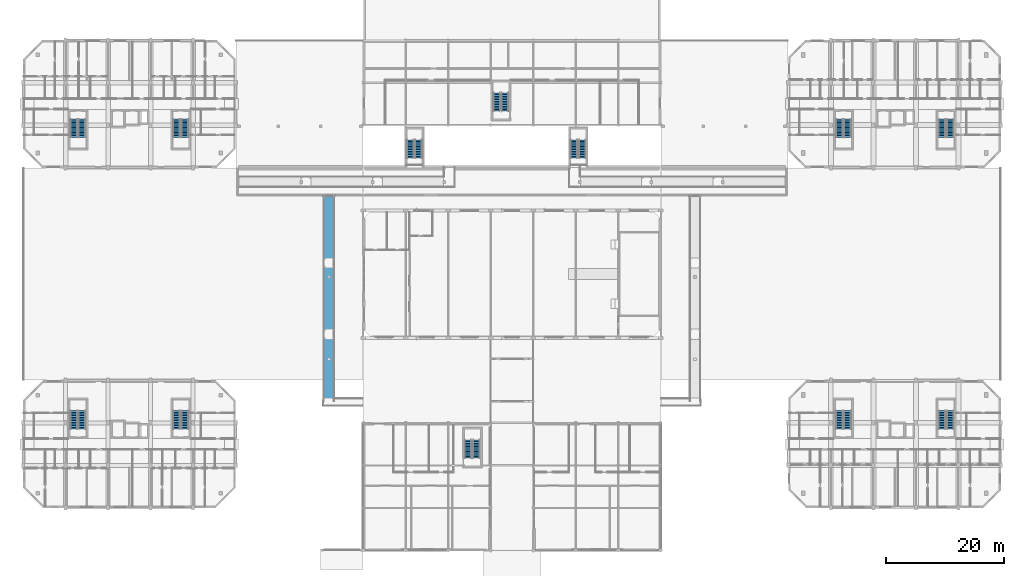
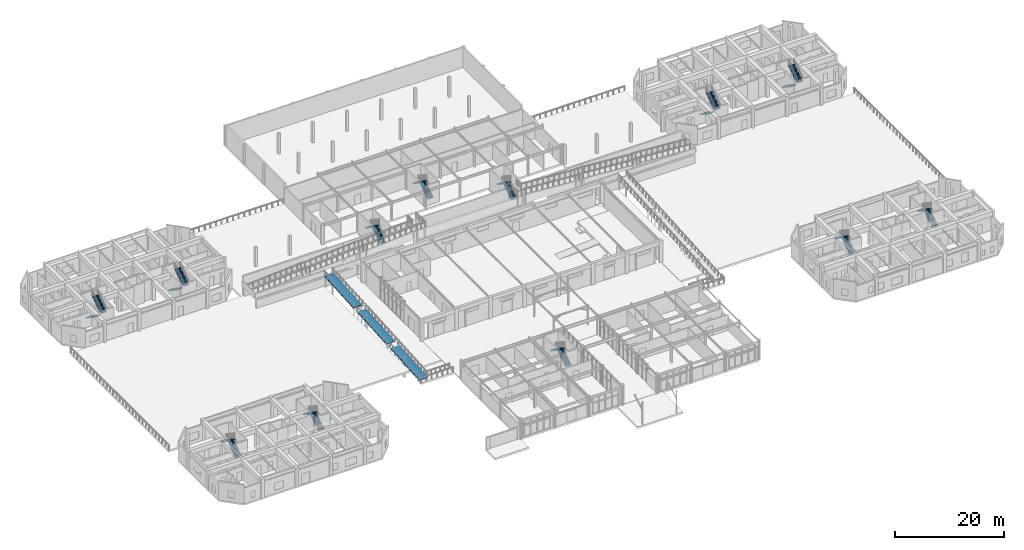
# One storey, part 71 of 85: 24 stair flights, 3 ramp flights, 13 elements without a shape of their own.
"""IFC4 building model written with IfcOpenShell, lengths in metres."""

from ifc_helpers import new_model, si_unit, direction, frame, origin, place, context, subcontext, project, spatial, polyline, outline, extrude, material, layer, layer_set, type_object, element, aggregate, save


model = new_model("IFC4")

# Units and contexts
model_context = context("Model", 3, precision=1e-05, world=origin(), true_north=direction((0.0, 1.0)))
body_context = subcontext(model_context, "Body", "Model", "MODEL_VIEW")
ifc_project = project(units=[si_unit("LENGTHUNIT", "METRE"), si_unit("AREAUNIT", "SQUARE_METRE"), si_unit("VOLUMEUNIT", "CUBIC_METRE"), si_unit("PLANEANGLEUNIT", "RADIAN"), si_unit("MASSUNIT", "GRAM", prefix="KILO")], contexts=[model_context])

# Site, building, storey
site_placement = place(None, origin())
site = spatial("IfcSite", under=ifc_project, at=site_placement, CompositionType="ELEMENT")
building_placement = place(site_placement, origin())
building = spatial("IfcBuilding", under=site, at=building_placement, Name="Ochrevale Crest", CompositionType="ELEMENT")
storey_placement = place(building_placement, origin())
storey = spatial("IfcBuildingStorey", under=building, at=storey_placement, Name="L00", CompositionType="ELEMENT", Elevation=0.0)

# Stair, stair flights
ifc_material_1 = material(Name="Precast concrete C40/50", Category="concrete")
stair_type_1 = type_object("IfcStairType", Name="ST-CORE-DOG", PredefinedType="HALF_TURN_STAIR", material=ifc_material_1)
stair_1_placement = place(storey_placement, origin())
stair_1 = element("IfcStair", 1, at=stair_1_placement, inside=storey, type_object=stair_type_1, Name="L00 Block A Fire Stair 1", PredefinedType="HALF_TURN_STAIR")
stair_flight_type = type_object("IfcStairFlightType", Name="SFL-CORE-125", PredefinedType="STRAIGHT", material=ifc_material_1)
stair_flight_1_placement = place(storey_placement, frame((10.02490234375, 27.77490234375, 0.0), z_axis=(0.0, 0.0, 1.0), x_axis=(0.0, 1.0, 0.0)))
stair_flight_1 = element("IfcStairFlight", 2, at=stair_flight_1_placement, type_object=stair_flight_type, Name="ST-A1 flight 1", NumberOfRisers=12, NumberOfTreads=11, PredefinedType="STRAIGHT", RiserHeight=0.1875, TreadLength=0.28, context=body_context, shape_type="SweptSolid", body=[
    extrude(outline(polyline([(0.0, 0.0), (0.0, 0.1875), (0.280029296875, 0.1875), (0.280029296875, 0.375), (0.56005859375, 0.375), (0.56005859375, 0.5625), (0.840087890625, 0.5625), (0.840087890625, 0.75), (1.1201171875, 0.75), (1.1201171875, 0.9375), (1.39990234375, 0.9375), (1.39990234375, 1.125), (1.679931640625, 1.125), (1.679931640625, 1.3125), (1.9599609375, 1.3125), (1.9599609375, 1.5), (2.239990234375, 1.5), (2.239990234375, 1.6875), (2.52001953125, 1.6875), (2.52001953125, 1.875), (2.800048828125, 1.875), (2.800048828125, 2.0625), (3.080078125, 2.0625), (3.080078125, 2.25), (3.080078125, 1.882080078125), (0.26953125, 0.0), (0.0, 0.0)])), frame((0.0, 0.625, 0.0), z_axis=(0.0, -1.0, 0.0), x_axis=(1.0, 0.0, 0.0)), (0.0, 0.0, 1.0), 1.25),
])
stair_flight_2_placement = place(storey_placement, frame((8.625, 30.85498046875, 2.25), z_axis=(0.0, 0.0, 1.0), x_axis=(0.0, -1.0, 0.0)))
stair_flight_2 = element("IfcStairFlight", 3, at=stair_flight_2_placement, type_object=stair_flight_type, Name="ST-A1 flight 2", NumberOfRisers=12, NumberOfTreads=11, PredefinedType="STRAIGHT", RiserHeight=0.1875, TreadLength=0.28, context=body_context, shape_type="SweptSolid", body=[
    extrude(outline(polyline([(0.0, 0.0), (0.0, 0.1875), (0.280029296875, 0.1875), (0.280029296875, 0.375), (0.56005859375, 0.375), (0.56005859375, 0.5625), (0.840087890625, 0.5625), (0.840087890625, 0.75), (1.1201171875, 0.75), (1.1201171875, 0.9375), (1.39990234375, 0.9375), (1.39990234375, 1.125), (1.679931640625, 1.125), (1.679931640625, 1.3125), (1.9599609375, 1.3125), (1.9599609375, 1.5), (2.239990234375, 1.5), (2.239990234375, 1.6875), (2.52001953125, 1.6875), (2.52001953125, 1.875), (2.800048828125, 1.875), (2.800048828125, 2.0625), (3.080078125, 2.0625), (3.080078125, 2.25), (3.080078125, 1.882080078125), (0.26953125, 0.0), (0.0, 0.0)])), frame((0.0, 0.625, 0.0), z_axis=(0.0, -1.0, 0.0), x_axis=(1.0, 0.0, 0.0)), (0.0, 0.0, 1.0), 1.25),
])
aggregate(stair_1, [stair_flight_1, stair_flight_2])

stair_2_placement = place(storey_placement, origin())
stair_2 = element("IfcStair", 4, at=stair_2_placement, inside=storey, type_object=stair_type_1, Name="L00 Block A Fire Stair 2", PredefinedType="HALF_TURN_STAIR")
stair_flight_3_placement = place(storey_placement, frame((27.425048828125, 27.77490234375, 0.0), z_axis=(0.0, 0.0, 1.0), x_axis=(0.0, 1.0, 0.0)))
stair_flight_3 = element("IfcStairFlight", 5, at=stair_flight_3_placement, type_object=stair_flight_type, Name="ST-A2 flight 1", NumberOfRisers=12, NumberOfTreads=11, PredefinedType="STRAIGHT", RiserHeight=0.1875, TreadLength=0.28, context=body_context, shape_type="SweptSolid", body=[
    extrude(outline(polyline([(0.0, 0.0), (0.0, 0.1875), (0.280029296875, 0.1875), (0.280029296875, 0.375), (0.56005859375, 0.375), (0.56005859375, 0.5625), (0.840087890625, 0.5625), (0.840087890625, 0.75), (1.1201171875, 0.75), (1.1201171875, 0.9375), (1.39990234375, 0.9375), (1.39990234375, 1.125), (1.679931640625, 1.125), (1.679931640625, 1.3125), (1.9599609375, 1.3125), (1.9599609375, 1.5), (2.239990234375, 1.5), (2.239990234375, 1.6875), (2.52001953125, 1.6875), (2.52001953125, 1.875), (2.800048828125, 1.875), (2.800048828125, 2.0625), (3.080078125, 2.0625), (3.080078125, 2.25), (3.080078125, 1.882080078125), (0.26953125, 0.0), (0.0, 0.0)])), frame((0.0, 0.625, 0.0), z_axis=(0.0, -1.0, 0.0), x_axis=(1.0, 0.0, 0.0)), (0.0, 0.0, 1.0), 1.25),
])
stair_flight_4_placement = place(storey_placement, frame((26.02490234375, 30.85498046875, 2.25), z_axis=(0.0, 0.0, 1.0), x_axis=(0.0, -1.0, 0.0)))
stair_flight_4 = element("IfcStairFlight", 6, at=stair_flight_4_placement, type_object=stair_flight_type, Name="ST-A2 flight 2", NumberOfRisers=12, NumberOfTreads=11, PredefinedType="STRAIGHT", RiserHeight=0.1875, TreadLength=0.28, context=body_context, shape_type="SweptSolid", body=[
    extrude(outline(polyline([(0.0, 0.0), (0.0, 0.1875), (0.280029296875, 0.1875), (0.280029296875, 0.375), (0.56005859375, 0.375), (0.56005859375, 0.5625), (0.840087890625, 0.5625), (0.840087890625, 0.75), (1.1201171875, 0.75), (1.1201171875, 0.9375), (1.39990234375, 0.9375), (1.39990234375, 1.125), (1.679931640625, 1.125), (1.679931640625, 1.3125), (1.9599609375, 1.3125), (1.9599609375, 1.5), (2.239990234375, 1.5), (2.239990234375, 1.6875), (2.52001953125, 1.6875), (2.52001953125, 1.875), (2.800048828125, 1.875), (2.800048828125, 2.0625), (3.080078125, 2.0625), (3.080078125, 2.25), (3.080078125, 1.882080078125), (0.26953125, 0.0), (0.0, 0.0)])), frame((0.0, 0.625, 0.0), z_axis=(0.0, -1.0, 0.0), x_axis=(1.0, 0.0, 0.0)), (0.0, 0.0, 1.0), 1.25),
])
aggregate(stair_2, [stair_flight_3, stair_flight_4])

stair_3_placement = place(storey_placement, origin())
stair_3 = element("IfcStair", 7, at=stair_3_placement, inside=storey, type_object=stair_type_1, Name="L00 Block B Fire Stair 1", PredefinedType="HALF_TURN_STAIR")
stair_flight_5_placement = place(storey_placement, frame((8.625, 80.22509765625, 0.0), z_axis=(0.0, 0.0, 1.0), x_axis=(0.0, -1.0, 0.0)))
stair_flight_5 = element("IfcStairFlight", 8, at=stair_flight_5_placement, type_object=stair_flight_type, Name="ST-B1 flight 1", NumberOfRisers=12, NumberOfTreads=11, PredefinedType="STRAIGHT", RiserHeight=0.1875, TreadLength=0.28, context=body_context, shape_type="SweptSolid", body=[
    extrude(outline(polyline([(0.0, 0.0), (0.0, 0.1875), (0.280029296875, 0.1875), (0.280029296875, 0.375), (0.56005859375, 0.375), (0.56005859375, 0.5625), (0.840087890625, 0.5625), (0.840087890625, 0.75), (1.1201171875, 0.75), (1.1201171875, 0.9375), (1.39990234375, 0.9375), (1.39990234375, 1.125), (1.679931640625, 1.125), (1.679931640625, 1.3125), (1.9599609375, 1.3125), (1.9599609375, 1.5), (2.239990234375, 1.5), (2.239990234375, 1.6875), (2.52001953125, 1.6875), (2.52001953125, 1.875), (2.800048828125, 1.875), (2.800048828125, 2.0625), (3.080078125, 2.0625), (3.080078125, 2.25), (3.080078125, 1.882080078125), (0.26953125, 0.0), (0.0, 0.0)])), frame((0.0, 0.625, 0.0), z_axis=(0.0, -1.0, 0.0), x_axis=(1.0, 0.0, 0.0)), (0.0, 0.0, 1.0), 1.25),
])
stair_flight_6_placement = place(storey_placement, frame((10.02490234375, 77.14501953125, 2.25), z_axis=(0.0, 0.0, 1.0), x_axis=(0.0, 1.0, 0.0)))
stair_flight_6 = element("IfcStairFlight", 9, at=stair_flight_6_placement, type_object=stair_flight_type, Name="ST-B1 flight 2", NumberOfRisers=12, NumberOfTreads=11, PredefinedType="STRAIGHT", RiserHeight=0.1875, TreadLength=0.28, context=body_context, shape_type="SweptSolid", body=[
    extrude(outline(polyline([(0.0, 0.0), (0.0, 0.1875), (0.280029296875, 0.1875), (0.280029296875, 0.375), (0.56005859375, 0.375), (0.56005859375, 0.5625), (0.840087890625, 0.5625), (0.840087890625, 0.75), (1.1201171875, 0.75), (1.1201171875, 0.9375), (1.39990234375, 0.9375), (1.39990234375, 1.125), (1.679931640625, 1.125), (1.679931640625, 1.3125), (1.9599609375, 1.3125), (1.9599609375, 1.5), (2.239990234375, 1.5), (2.239990234375, 1.6875), (2.52001953125, 1.6875), (2.52001953125, 1.875), (2.800048828125, 1.875), (2.800048828125, 2.0625), (3.080078125, 2.0625), (3.080078125, 2.25), (3.080078125, 1.882080078125), (0.26953125, 0.0), (0.0, 0.0)])), frame((0.0, 0.625, 0.0), z_axis=(0.0, -1.0, 0.0), x_axis=(1.0, 0.0, 0.0)), (0.0, 0.0, 1.0), 1.25),
])
aggregate(stair_3, [stair_flight_5, stair_flight_6])

stair_4_placement = place(storey_placement, origin())
stair_4 = element("IfcStair", 10, at=stair_4_placement, inside=storey, type_object=stair_type_1, Name="L00 Block B Fire Stair 2", PredefinedType="HALF_TURN_STAIR")
stair_flight_7_placement = place(storey_placement, frame((26.02490234375, 80.22509765625, 0.0), z_axis=(0.0, 0.0, 1.0), x_axis=(0.0, -1.0, 0.0)))
stair_flight_7 = element("IfcStairFlight", 11, at=stair_flight_7_placement, type_object=stair_flight_type, Name="ST-B2 flight 1", NumberOfRisers=12, NumberOfTreads=11, PredefinedType="STRAIGHT", RiserHeight=0.1875, TreadLength=0.28, context=body_context, shape_type="SweptSolid", body=[
    extrude(outline(polyline([(0.0, 0.0), (0.0, 0.1875), (0.280029296875, 0.1875), (0.280029296875, 0.375), (0.56005859375, 0.375), (0.56005859375, 0.5625), (0.840087890625, 0.5625), (0.840087890625, 0.75), (1.1201171875, 0.75), (1.1201171875, 0.9375), (1.39990234375, 0.9375), (1.39990234375, 1.125), (1.679931640625, 1.125), (1.679931640625, 1.3125), (1.9599609375, 1.3125), (1.9599609375, 1.5), (2.239990234375, 1.5), (2.239990234375, 1.6875), (2.52001953125, 1.6875), (2.52001953125, 1.875), (2.800048828125, 1.875), (2.800048828125, 2.0625), (3.080078125, 2.0625), (3.080078125, 2.25), (3.080078125, 1.882080078125), (0.26953125, 0.0), (0.0, 0.0)])), frame((0.0, 0.625, 0.0), z_axis=(0.0, -1.0, 0.0), x_axis=(1.0, 0.0, 0.0)), (0.0, 0.0, 1.0), 1.25),
])
stair_flight_8_placement = place(storey_placement, frame((27.425048828125, 77.14501953125, 2.25), z_axis=(0.0, 0.0, 1.0), x_axis=(0.0, 1.0, 0.0)))
stair_flight_8 = element("IfcStairFlight", 12, at=stair_flight_8_placement, type_object=stair_flight_type, Name="ST-B2 flight 2", NumberOfRisers=12, NumberOfTreads=11, PredefinedType="STRAIGHT", RiserHeight=0.1875, TreadLength=0.28, context=body_context, shape_type="SweptSolid", body=[
    extrude(outline(polyline([(0.0, 0.0), (0.0, 0.1875), (0.280029296875, 0.1875), (0.280029296875, 0.375), (0.56005859375, 0.375), (0.56005859375, 0.5625), (0.840087890625, 0.5625), (0.840087890625, 0.75), (1.1201171875, 0.75), (1.1201171875, 0.9375), (1.39990234375, 0.9375), (1.39990234375, 1.125), (1.679931640625, 1.125), (1.679931640625, 1.3125), (1.9599609375, 1.3125), (1.9599609375, 1.5), (2.239990234375, 1.5), (2.239990234375, 1.6875), (2.52001953125, 1.6875), (2.52001953125, 1.875), (2.800048828125, 1.875), (2.800048828125, 2.0625), (3.080078125, 2.0625), (3.080078125, 2.25), (3.080078125, 1.882080078125), (0.26953125, 0.0), (0.0, 0.0)])), frame((0.0, 0.625, 0.0), z_axis=(0.0, -1.0, 0.0), x_axis=(1.0, 0.0, 0.0)), (0.0, 0.0, 1.0), 1.25),
])
aggregate(stair_4, [stair_flight_7, stair_flight_8])

stair_5_placement = place(storey_placement, origin())
stair_5 = element("IfcStair", 13, at=stair_5_placement, inside=storey, type_object=stair_type_1, Name="L00 Block C Fire Stair 1", PredefinedType="HALF_TURN_STAIR")
stair_flight_9_placement = place(storey_placement, frame((139.625, 27.77490234375, 0.0), z_axis=(0.0, 0.0, 1.0), x_axis=(0.0, 1.0, 0.0)))
stair_flight_9 = element("IfcStairFlight", 14, at=stair_flight_9_placement, type_object=stair_flight_type, Name="ST-C1 flight 1", NumberOfRisers=12, NumberOfTreads=11, PredefinedType="STRAIGHT", RiserHeight=0.1875, TreadLength=0.28, context=body_context, shape_type="SweptSolid", body=[
    extrude(outline(polyline([(0.0, 0.0), (0.0, 0.1875), (0.280029296875, 0.1875), (0.280029296875, 0.375), (0.56005859375, 0.375), (0.56005859375, 0.5625), (0.840087890625, 0.5625), (0.840087890625, 0.75), (1.1201171875, 0.75), (1.1201171875, 0.9375), (1.39990234375, 0.9375), (1.39990234375, 1.125), (1.679931640625, 1.125), (1.679931640625, 1.3125), (1.9599609375, 1.3125), (1.9599609375, 1.5), (2.239990234375, 1.5), (2.239990234375, 1.6875), (2.52001953125, 1.6875), (2.52001953125, 1.875), (2.800048828125, 1.875), (2.800048828125, 2.0625), (3.080078125, 2.0625), (3.080078125, 2.25), (3.080078125, 1.882080078125), (0.26953125, 0.0), (0.0, 0.0)])), frame((0.0, 0.625, 0.0), z_axis=(0.0, -1.0, 0.0), x_axis=(1.0, 0.0, 0.0)), (0.0, 0.0, 1.0), 1.25),
])
stair_flight_10_placement = place(storey_placement, frame((138.22509765625, 30.85498046875, 2.25), z_axis=(0.0, 0.0, 1.0), x_axis=(0.0, -1.0, 0.0)))
stair_flight_10 = element("IfcStairFlight", 15, at=stair_flight_10_placement, type_object=stair_flight_type, Name="ST-C1 flight 2", NumberOfRisers=12, NumberOfTreads=11, PredefinedType="STRAIGHT", RiserHeight=0.1875, TreadLength=0.28, context=body_context, shape_type="SweptSolid", body=[
    extrude(outline(polyline([(0.0, 0.0), (0.0, 0.1875), (0.280029296875, 0.1875), (0.280029296875, 0.375), (0.56005859375, 0.375), (0.56005859375, 0.5625), (0.840087890625, 0.5625), (0.840087890625, 0.75), (1.1201171875, 0.75), (1.1201171875, 0.9375), (1.39990234375, 0.9375), (1.39990234375, 1.125), (1.679931640625, 1.125), (1.679931640625, 1.3125), (1.9599609375, 1.3125), (1.9599609375, 1.5), (2.239990234375, 1.5), (2.239990234375, 1.6875), (2.52001953125, 1.6875), (2.52001953125, 1.875), (2.800048828125, 1.875), (2.800048828125, 2.0625), (3.080078125, 2.0625), (3.080078125, 2.25), (3.080078125, 1.882080078125), (0.26953125, 0.0), (0.0, 0.0)])), frame((0.0, 0.625, 0.0), z_axis=(0.0, -1.0, 0.0), x_axis=(1.0, 0.0, 0.0)), (0.0, 0.0, 1.0), 1.25),
])
aggregate(stair_5, [stair_flight_9, stair_flight_10])

stair_6_placement = place(storey_placement, origin())
stair_6 = element("IfcStair", 16, at=stair_6_placement, inside=storey, type_object=stair_type_1, Name="L00 Block C Fire Stair 2", PredefinedType="HALF_TURN_STAIR")
stair_flight_11_placement = place(storey_placement, frame((157.02490234375, 27.77490234375, 0.0), z_axis=(0.0, 0.0, 1.0), x_axis=(0.0, 1.0, 0.0)))
stair_flight_11 = element("IfcStairFlight", 17, at=stair_flight_11_placement, type_object=stair_flight_type, Name="ST-C2 flight 1", NumberOfRisers=12, NumberOfTreads=11, PredefinedType="STRAIGHT", RiserHeight=0.1875, TreadLength=0.28, context=body_context, shape_type="SweptSolid", body=[
    extrude(outline(polyline([(0.0, 0.0), (0.0, 0.1875), (0.280029296875, 0.1875), (0.280029296875, 0.375), (0.56005859375, 0.375), (0.56005859375, 0.5625), (0.840087890625, 0.5625), (0.840087890625, 0.75), (1.1201171875, 0.75), (1.1201171875, 0.9375), (1.39990234375, 0.9375), (1.39990234375, 1.125), (1.679931640625, 1.125), (1.679931640625, 1.3125), (1.9599609375, 1.3125), (1.9599609375, 1.5), (2.239990234375, 1.5), (2.239990234375, 1.6875), (2.52001953125, 1.6875), (2.52001953125, 1.875), (2.800048828125, 1.875), (2.800048828125, 2.0625), (3.080078125, 2.0625), (3.080078125, 2.25), (3.080078125, 1.882080078125), (0.26953125, 0.0), (0.0, 0.0)])), frame((0.0, 0.625, 0.0), z_axis=(0.0, -1.0, 0.0), x_axis=(1.0, 0.0, 0.0)), (0.0, 0.0, 1.0), 1.25),
])
stair_flight_12_placement = place(storey_placement, frame((155.625, 30.85498046875, 2.25), z_axis=(0.0, 0.0, 1.0), x_axis=(0.0, -1.0, 0.0)))
stair_flight_12 = element("IfcStairFlight", 18, at=stair_flight_12_placement, type_object=stair_flight_type, Name="ST-C2 flight 2", NumberOfRisers=12, NumberOfTreads=11, PredefinedType="STRAIGHT", RiserHeight=0.1875, TreadLength=0.28, context=body_context, shape_type="SweptSolid", body=[
    extrude(outline(polyline([(0.0, 0.0), (0.0, 0.1875), (0.280029296875, 0.1875), (0.280029296875, 0.375), (0.56005859375, 0.375), (0.56005859375, 0.5625), (0.840087890625, 0.5625), (0.840087890625, 0.75), (1.1201171875, 0.75), (1.1201171875, 0.9375), (1.39990234375, 0.9375), (1.39990234375, 1.125), (1.679931640625, 1.125), (1.679931640625, 1.3125), (1.9599609375, 1.3125), (1.9599609375, 1.5), (2.239990234375, 1.5), (2.239990234375, 1.6875), (2.52001953125, 1.6875), (2.52001953125, 1.875), (2.800048828125, 1.875), (2.800048828125, 2.0625), (3.080078125, 2.0625), (3.080078125, 2.25), (3.080078125, 1.882080078125), (0.26953125, 0.0), (0.0, 0.0)])), frame((0.0, 0.625, 0.0), z_axis=(0.0, -1.0, 0.0), x_axis=(1.0, 0.0, 0.0)), (0.0, 0.0, 1.0), 1.25),
])
aggregate(stair_6, [stair_flight_11, stair_flight_12])

stair_7_placement = place(storey_placement, origin())
stair_7 = element("IfcStair", 19, at=stair_7_placement, inside=storey, type_object=stair_type_1, Name="L00 Block D Fire Stair 1", PredefinedType="HALF_TURN_STAIR")
stair_flight_13_placement = place(storey_placement, frame((138.22509765625, 80.22509765625, 0.0), z_axis=(0.0, 0.0, 1.0), x_axis=(0.0, -1.0, 0.0)))
stair_flight_13 = element("IfcStairFlight", 20, at=stair_flight_13_placement, type_object=stair_flight_type, Name="ST-D1 flight 1", NumberOfRisers=12, NumberOfTreads=11, PredefinedType="STRAIGHT", RiserHeight=0.1875, TreadLength=0.28, context=body_context, shape_type="SweptSolid", body=[
    extrude(outline(polyline([(0.0, 0.0), (0.0, 0.1875), (0.280029296875, 0.1875), (0.280029296875, 0.375), (0.56005859375, 0.375), (0.56005859375, 0.5625), (0.840087890625, 0.5625), (0.840087890625, 0.75), (1.1201171875, 0.75), (1.1201171875, 0.9375), (1.39990234375, 0.9375), (1.39990234375, 1.125), (1.679931640625, 1.125), (1.679931640625, 1.3125), (1.9599609375, 1.3125), (1.9599609375, 1.5), (2.239990234375, 1.5), (2.239990234375, 1.6875), (2.52001953125, 1.6875), (2.52001953125, 1.875), (2.800048828125, 1.875), (2.800048828125, 2.0625), (3.080078125, 2.0625), (3.080078125, 2.25), (3.080078125, 1.882080078125), (0.26953125, 0.0), (0.0, 0.0)])), frame((0.0, 0.625, 0.0), z_axis=(0.0, -1.0, 0.0), x_axis=(1.0, 0.0, 0.0)), (0.0, 0.0, 1.0), 1.25),
])
stair_flight_14_placement = place(storey_placement, frame((139.625, 77.14501953125, 2.25), z_axis=(0.0, 0.0, 1.0), x_axis=(0.0, 1.0, 0.0)))
stair_flight_14 = element("IfcStairFlight", 21, at=stair_flight_14_placement, type_object=stair_flight_type, Name="ST-D1 flight 2", NumberOfRisers=12, NumberOfTreads=11, PredefinedType="STRAIGHT", RiserHeight=0.1875, TreadLength=0.28, context=body_context, shape_type="SweptSolid", body=[
    extrude(outline(polyline([(0.0, 0.0), (0.0, 0.1875), (0.280029296875, 0.1875), (0.280029296875, 0.375), (0.56005859375, 0.375), (0.56005859375, 0.5625), (0.840087890625, 0.5625), (0.840087890625, 0.75), (1.1201171875, 0.75), (1.1201171875, 0.9375), (1.39990234375, 0.9375), (1.39990234375, 1.125), (1.679931640625, 1.125), (1.679931640625, 1.3125), (1.9599609375, 1.3125), (1.9599609375, 1.5), (2.239990234375, 1.5), (2.239990234375, 1.6875), (2.52001953125, 1.6875), (2.52001953125, 1.875), (2.800048828125, 1.875), (2.800048828125, 2.0625), (3.080078125, 2.0625), (3.080078125, 2.25), (3.080078125, 1.882080078125), (0.26953125, 0.0), (0.0, 0.0)])), frame((0.0, 0.625, 0.0), z_axis=(0.0, -1.0, 0.0), x_axis=(1.0, 0.0, 0.0)), (0.0, 0.0, 1.0), 1.25),
])
aggregate(stair_7, [stair_flight_13, stair_flight_14])

stair_8_placement = place(storey_placement, origin())
stair_8 = element("IfcStair", 22, at=stair_8_placement, inside=storey, type_object=stair_type_1, Name="L00 Block D Fire Stair 2", PredefinedType="HALF_TURN_STAIR")
stair_flight_15_placement = place(storey_placement, frame((155.625, 80.22509765625, 0.0), z_axis=(0.0, 0.0, 1.0), x_axis=(0.0, -1.0, 0.0)))
stair_flight_15 = element("IfcStairFlight", 23, at=stair_flight_15_placement, type_object=stair_flight_type, Name="ST-D2 flight 1", NumberOfRisers=12, NumberOfTreads=11, PredefinedType="STRAIGHT", RiserHeight=0.1875, TreadLength=0.28, context=body_context, shape_type="SweptSolid", body=[
    extrude(outline(polyline([(0.0, 0.0), (0.0, 0.1875), (0.280029296875, 0.1875), (0.280029296875, 0.375), (0.56005859375, 0.375), (0.56005859375, 0.5625), (0.840087890625, 0.5625), (0.840087890625, 0.75), (1.1201171875, 0.75), (1.1201171875, 0.9375), (1.39990234375, 0.9375), (1.39990234375, 1.125), (1.679931640625, 1.125), (1.679931640625, 1.3125), (1.9599609375, 1.3125), (1.9599609375, 1.5), (2.239990234375, 1.5), (2.239990234375, 1.6875), (2.52001953125, 1.6875), (2.52001953125, 1.875), (2.800048828125, 1.875), (2.800048828125, 2.0625), (3.080078125, 2.0625), (3.080078125, 2.25), (3.080078125, 1.882080078125), (0.26953125, 0.0), (0.0, 0.0)])), frame((0.0, 0.625, 0.0), z_axis=(0.0, -1.0, 0.0), x_axis=(1.0, 0.0, 0.0)), (0.0, 0.0, 1.0), 1.25),
])
stair_flight_16_placement = place(storey_placement, frame((157.02490234375, 77.14501953125, 2.25), z_axis=(0.0, 0.0, 1.0), x_axis=(0.0, 1.0, 0.0)))
stair_flight_16 = element("IfcStairFlight", 24, at=stair_flight_16_placement, type_object=stair_flight_type, Name="ST-D2 flight 2", NumberOfRisers=12, NumberOfTreads=11, PredefinedType="STRAIGHT", RiserHeight=0.1875, TreadLength=0.28, context=body_context, shape_type="SweptSolid", body=[
    extrude(outline(polyline([(0.0, 0.0), (0.0, 0.1875), (0.280029296875, 0.1875), (0.280029296875, 0.375), (0.56005859375, 0.375), (0.56005859375, 0.5625), (0.840087890625, 0.5625), (0.840087890625, 0.75), (1.1201171875, 0.75), (1.1201171875, 0.9375), (1.39990234375, 0.9375), (1.39990234375, 1.125), (1.679931640625, 1.125), (1.679931640625, 1.3125), (1.9599609375, 1.3125), (1.9599609375, 1.5), (2.239990234375, 1.5), (2.239990234375, 1.6875), (2.52001953125, 1.6875), (2.52001953125, 1.875), (2.800048828125, 1.875), (2.800048828125, 2.0625), (3.080078125, 2.0625), (3.080078125, 2.25), (3.080078125, 1.882080078125), (0.26953125, 0.0), (0.0, 0.0)])), frame((0.0, 0.625, 0.0), z_axis=(0.0, -1.0, 0.0), x_axis=(1.0, 0.0, 0.0)), (0.0, 0.0, 1.0), 1.25),
])
aggregate(stair_8, [stair_flight_15, stair_flight_16])

stair_type_2 = type_object("IfcStairType", Name="ST-CIVIC-DOG", PredefinedType="HALF_TURN_STAIR", material=ifc_material_1)
stair_9_placement = place(storey_placement, origin())
stair_9 = element("IfcStair", 25, at=stair_9_placement, inside=storey, type_object=stair_type_2, Name="L00 Nursery Roof-Garden Stair", PredefinedType="HALF_TURN_STAIR")
stair_flight_17_placement = place(storey_placement, frame((81.625, 81.574951171875, 0.0), z_axis=(0.0, 0.0, 1.0), x_axis=(0.0, 1.0, 0.0)))
stair_flight_17 = element("IfcStairFlight", 26, at=stair_flight_17_placement, type_object=stair_flight_type, Name="ST-N1 flight 1", NumberOfRisers=12, NumberOfTreads=11, PredefinedType="STRAIGHT", RiserHeight=0.1875, TreadLength=0.28, context=body_context, shape_type="SweptSolid", body=[
    extrude(outline(polyline([(0.0, 0.0), (0.0, 0.1875), (0.280029296875, 0.1875), (0.280029296875, 0.375), (0.56005859375, 0.375), (0.56005859375, 0.5625), (0.840087890625, 0.5625), (0.840087890625, 0.75), (1.1201171875, 0.75), (1.1201171875, 0.9375), (1.39990234375, 0.9375), (1.39990234375, 1.125), (1.679931640625, 1.125), (1.679931640625, 1.3125), (1.9599609375, 1.3125), (1.9599609375, 1.5), (2.239990234375, 1.5), (2.239990234375, 1.6875), (2.52001953125, 1.6875), (2.52001953125, 1.875), (2.800048828125, 1.875), (2.800048828125, 2.0625), (3.080078125, 2.0625), (3.080078125, 2.25), (3.080078125, 1.882080078125), (0.26953125, 0.0), (0.0, 0.0)])), frame((0.0, 0.625, 0.0), z_axis=(0.0, -1.0, 0.0), x_axis=(1.0, 0.0, 0.0)), (0.0, 0.0, 1.0), 1.25),
])
stair_flight_18_placement = place(storey_placement, frame((80.22509765625, 84.655029296875, 2.25), z_axis=(0.0, 0.0, 1.0), x_axis=(0.0, -1.0, 0.0)))
stair_flight_18 = element("IfcStairFlight", 27, at=stair_flight_18_placement, type_object=stair_flight_type, Name="ST-N1 flight 2", NumberOfRisers=12, NumberOfTreads=11, PredefinedType="STRAIGHT", RiserHeight=0.1875, TreadLength=0.28, context=body_context, shape_type="SweptSolid", body=[
    extrude(outline(polyline([(0.0, 0.0), (0.0, 0.1875), (0.280029296875, 0.1875), (0.280029296875, 0.375), (0.56005859375, 0.375), (0.56005859375, 0.5625), (0.840087890625, 0.5625), (0.840087890625, 0.75), (1.1201171875, 0.75), (1.1201171875, 0.9375), (1.39990234375, 0.9375), (1.39990234375, 1.125), (1.679931640625, 1.125), (1.679931640625, 1.3125), (1.9599609375, 1.3125), (1.9599609375, 1.5), (2.239990234375, 1.5), (2.239990234375, 1.6875), (2.52001953125, 1.6875), (2.52001953125, 1.875), (2.800048828125, 1.875), (2.800048828125, 2.0625), (3.080078125, 2.0625), (3.080078125, 2.25), (3.080078125, 1.882080078125), (0.26953125, 0.0), (0.0, 0.0)])), frame((0.0, 0.625, 0.0), z_axis=(0.0, -1.0, 0.0), x_axis=(1.0, 0.0, 0.0)), (0.0, 0.0, 1.0), 1.25),
])
aggregate(stair_9, [stair_flight_17, stair_flight_18])

stair_10_placement = place(storey_placement, origin())
stair_10 = element("IfcStair", 28, at=stair_10_placement, inside=storey, type_object=stair_type_2, Name="L00 Boulevard Roof-Garden Stair", PredefinedType="HALF_TURN_STAIR")
stair_flight_19_placement = place(storey_placement, frame((76.77490234375, 22.824951171875, 0.0), z_axis=(0.0, 0.0, 1.0), x_axis=(0.0, 1.0, 0.0)))
stair_flight_19 = element("IfcStairFlight", 29, at=stair_flight_19_placement, type_object=stair_flight_type, Name="ST-R1 flight 1", NumberOfRisers=12, NumberOfTreads=11, PredefinedType="STRAIGHT", RiserHeight=0.1875, TreadLength=0.28, context=body_context, shape_type="SweptSolid", body=[
    extrude(outline(polyline([(0.0, 0.0), (0.0, 0.1875), (0.280029296875, 0.1875), (0.280029296875, 0.375), (0.56005859375, 0.375), (0.56005859375, 0.5625), (0.840087890625, 0.5625), (0.840087890625, 0.75), (1.1201171875, 0.75), (1.1201171875, 0.9375), (1.39990234375, 0.9375), (1.39990234375, 1.125), (1.679931640625, 1.125), (1.679931640625, 1.3125), (1.9599609375, 1.3125), (1.9599609375, 1.5), (2.239990234375, 1.5), (2.239990234375, 1.6875), (2.52001953125, 1.6875), (2.52001953125, 1.875), (2.800048828125, 1.875), (2.800048828125, 2.0625), (3.080078125, 2.0625), (3.080078125, 2.25), (3.080078125, 1.882080078125), (0.26953125, 0.0), (0.0, 0.0)])), frame((0.0, 0.625, 0.0), z_axis=(0.0, -1.0, 0.0), x_axis=(1.0, 0.0, 0.0)), (0.0, 0.0, 1.0), 1.25),
])
stair_flight_20_placement = place(storey_placement, frame((75.375, 25.905029296875, 2.25), z_axis=(0.0, 0.0, 1.0), x_axis=(0.0, -1.0, 0.0)))
stair_flight_20 = element("IfcStairFlight", 30, at=stair_flight_20_placement, type_object=stair_flight_type, Name="ST-R1 flight 2", NumberOfRisers=12, NumberOfTreads=11, PredefinedType="STRAIGHT", RiserHeight=0.1875, TreadLength=0.28, context=body_context, shape_type="SweptSolid", body=[
    extrude(outline(polyline([(0.0, 0.0), (0.0, 0.1875), (0.280029296875, 0.1875), (0.280029296875, 0.375), (0.56005859375, 0.375), (0.56005859375, 0.5625), (0.840087890625, 0.5625), (0.840087890625, 0.75), (1.1201171875, 0.75), (1.1201171875, 0.9375), (1.39990234375, 0.9375), (1.39990234375, 1.125), (1.679931640625, 1.125), (1.679931640625, 1.3125), (1.9599609375, 1.3125), (1.9599609375, 1.5), (2.239990234375, 1.5), (2.239990234375, 1.6875), (2.52001953125, 1.6875), (2.52001953125, 1.875), (2.800048828125, 1.875), (2.800048828125, 2.0625), (3.080078125, 2.0625), (3.080078125, 2.25), (3.080078125, 1.882080078125), (0.26953125, 0.0), (0.0, 0.0)])), frame((0.0, 0.625, 0.0), z_axis=(0.0, -1.0, 0.0), x_axis=(1.0, 0.0, 0.0)), (0.0, 0.0, 1.0), 1.25),
])
aggregate(stair_10, [stair_flight_19, stair_flight_20])

stair_11_placement = place(storey_placement, origin())
stair_11 = element("IfcStair", 31, at=stair_11_placement, inside=storey, type_object=stair_type_2, Name="L00 West courtyard promenade dog-leg stair", PredefinedType="HALF_TURN_STAIR")
stair_flight_21_placement = place(storey_placement, frame((66.97509765625, 73.64990234375, 0.0), z_axis=(0.0, 0.0, 1.0), x_axis=(0.0, 1.0, 0.0)))
stair_flight_21 = element("IfcStairFlight", 32, at=stair_flight_21_placement, type_object=stair_flight_type, Name="ST-CW1 flight 1", NumberOfRisers=12, NumberOfTreads=11, PredefinedType="STRAIGHT", RiserHeight=0.1875, TreadLength=0.28, context=body_context, shape_type="SweptSolid", body=[
    extrude(outline(polyline([(0.0, 0.0), (0.0, 0.1875), (0.280029296875, 0.1875), (0.280029296875, 0.375), (0.56005859375, 0.375), (0.56005859375, 0.5625), (0.840087890625, 0.5625), (0.840087890625, 0.75), (1.1201171875, 0.75), (1.1201171875, 0.9375), (1.39990234375, 0.9375), (1.39990234375, 1.125), (1.679931640625, 1.125), (1.679931640625, 1.3125), (1.9599609375, 1.3125), (1.9599609375, 1.5), (2.239990234375, 1.5), (2.239990234375, 1.6875), (2.52001953125, 1.6875), (2.52001953125, 1.875), (2.800048828125, 1.875), (2.800048828125, 2.0625), (3.080078125, 2.0625), (3.080078125, 2.25), (3.080078125, 1.882080078125), (0.26953125, 0.0), (0.0, 0.0)])), frame((0.0, 0.625, 0.0), z_axis=(0.0, -1.0, 0.0), x_axis=(1.0, 0.0, 0.0)), (0.0, 0.0, 1.0), 1.25),
])
stair_flight_22_placement = place(storey_placement, frame((65.574951171875, 76.72998046875, 2.25), z_axis=(0.0, 0.0, 1.0), x_axis=(0.0, -1.0, 0.0)))
stair_flight_22 = element("IfcStairFlight", 33, at=stair_flight_22_placement, type_object=stair_flight_type, Name="ST-CW1 flight 2", NumberOfRisers=12, NumberOfTreads=11, PredefinedType="STRAIGHT", RiserHeight=0.1875, TreadLength=0.28, context=body_context, shape_type="SweptSolid", body=[
    extrude(outline(polyline([(0.0, 0.0), (0.0, 0.1875), (0.280029296875, 0.1875), (0.280029296875, 0.375), (0.56005859375, 0.375), (0.56005859375, 0.5625), (0.840087890625, 0.5625), (0.840087890625, 0.75), (1.1201171875, 0.75), (1.1201171875, 0.9375), (1.39990234375, 0.9375), (1.39990234375, 1.125), (1.679931640625, 1.125), (1.679931640625, 1.3125), (1.9599609375, 1.3125), (1.9599609375, 1.5), (2.239990234375, 1.5), (2.239990234375, 1.6875), (2.52001953125, 1.6875), (2.52001953125, 1.875), (2.800048828125, 1.875), (2.800048828125, 2.0625), (3.080078125, 2.0625), (3.080078125, 2.25), (3.080078125, 1.882080078125), (0.26953125, 0.0), (0.0, 0.0)])), frame((0.0, 0.625, 0.0), z_axis=(0.0, -1.0, 0.0), x_axis=(1.0, 0.0, 0.0)), (0.0, 0.0, 1.0), 1.25),
])
aggregate(stair_11, [stair_flight_21, stair_flight_22])

stair_12_placement = place(storey_placement, origin())
stair_12 = element("IfcStair", 34, at=stair_12_placement, inside=storey, type_object=stair_type_2, Name="L00 East courtyard promenade dog-leg stair", PredefinedType="HALF_TURN_STAIR")
stair_flight_23_placement = place(storey_placement, frame((94.72509765625, 73.64990234375, 0.0), z_axis=(0.0, 0.0, 1.0), x_axis=(0.0, 1.0, 0.0)))
stair_flight_23 = element("IfcStairFlight", 35, at=stair_flight_23_placement, type_object=stair_flight_type, Name="ST-CE1 flight 1", NumberOfRisers=12, NumberOfTreads=11, PredefinedType="STRAIGHT", RiserHeight=0.1875, TreadLength=0.28, context=body_context, shape_type="SweptSolid", body=[
    extrude(outline(polyline([(0.0, 0.0), (0.0, 0.1875), (0.280029296875, 0.1875), (0.280029296875, 0.375), (0.56005859375, 0.375), (0.56005859375, 0.5625), (0.840087890625, 0.5625), (0.840087890625, 0.75), (1.1201171875, 0.75), (1.1201171875, 0.9375), (1.39990234375, 0.9375), (1.39990234375, 1.125), (1.679931640625, 1.125), (1.679931640625, 1.3125), (1.9599609375, 1.3125), (1.9599609375, 1.5), (2.239990234375, 1.5), (2.239990234375, 1.6875), (2.52001953125, 1.6875), (2.52001953125, 1.875), (2.800048828125, 1.875), (2.800048828125, 2.0625), (3.080078125, 2.0625), (3.080078125, 2.25), (3.080078125, 1.882080078125), (0.26953125, 0.0), (0.0, 0.0)])), frame((0.0, 0.625, 0.0), z_axis=(0.0, -1.0, 0.0), x_axis=(1.0, 0.0, 0.0)), (0.0, 0.0, 1.0), 1.25),
])
stair_flight_24_placement = place(storey_placement, frame((93.324951171875, 76.72998046875, 2.25), z_axis=(0.0, 0.0, 1.0), x_axis=(0.0, -1.0, 0.0)))
stair_flight_24 = element("IfcStairFlight", 36, at=stair_flight_24_placement, type_object=stair_flight_type, Name="ST-CE1 flight 2", NumberOfRisers=12, NumberOfTreads=11, PredefinedType="STRAIGHT", RiserHeight=0.1875, TreadLength=0.28, context=body_context, shape_type="SweptSolid", body=[
    extrude(outline(polyline([(0.0, 0.0), (0.0, 0.1875), (0.280029296875, 0.1875), (0.280029296875, 0.375), (0.56005859375, 0.375), (0.56005859375, 0.5625), (0.840087890625, 0.5625), (0.840087890625, 0.75), (1.1201171875, 0.75), (1.1201171875, 0.9375), (1.39990234375, 0.9375), (1.39990234375, 1.125), (1.679931640625, 1.125), (1.679931640625, 1.3125), (1.9599609375, 1.3125), (1.9599609375, 1.5), (2.239990234375, 1.5), (2.239990234375, 1.6875), (2.52001953125, 1.6875), (2.52001953125, 1.875), (2.800048828125, 1.875), (2.800048828125, 2.0625), (3.080078125, 2.0625), (3.080078125, 2.25), (3.080078125, 1.882080078125), (0.26953125, 0.0), (0.0, 0.0)])), frame((0.0, 0.625, 0.0), z_axis=(0.0, -1.0, 0.0), x_axis=(1.0, 0.0, 0.0)), (0.0, 0.0, 1.0), 1.25),
])
aggregate(stair_12, [stair_flight_23, stair_flight_24])

# Ramp, ramp flights
ifc_material_2 = material(Name="Concrete C40/50", Category="concrete")
ramp_type = type_object("IfcRampType", Name="RMP-ACC", PredefinedType="USERDEFINED", material=ifc_material_2)
ramp_placement = place(storey_placement, origin())
ramp = element("IfcRamp", 37, at=ramp_placement, inside=storey, type_object=ramp_type, Name="West hillside Step 1 to Step 2 accessible ramp", ObjectType="ACCESSIBLE RAMP", PredefinedType="USERDEFINED")
ifc_layer = layer(ifc_material_2, 0.199951171875)
ifc_layer_set = layer_set([ifc_layer], Name="Concrete C40/50")
ramp_flight_type = type_object("IfcRampFlightType", Name="RFL-ACC-200", PredefinedType="STRAIGHT", material=ifc_layer_set)
ramp_flight_1_placement = place(storey_placement, frame((51.800048828125, 32.5, 0.0), z_axis=(0.0, 0.0, 1.0), x_axis=(0.0, 1.0, 0.0)))
ramp_flight_1 = element("IfcRampFlight", 38, at=ramp_flight_1_placement, type_object=ramp_flight_type, Name="West hillside Step 1 to Step 2 accessible ramp flight 1", PredefinedType="STRAIGHT", context=body_context, shape_type="SweptSolid", body=[
    extrude(outline(polyline([(0.0, -0.199951171875), (10.580078125, 0.550048828125), (10.580078125, 0.75), (0.0, 0.0), (0.0, -0.199951171875)])), frame((0.0, 0.89990234375, 0.0), z_axis=(0.0, -1.0, 0.0), x_axis=(1.0, 0.0, 0.0)), (0.0, 0.0, 1.0), 1.800048828125),
])
ramp_flight_2_placement = place(storey_placement, frame((51.800048828125, 44.56005859375, 0.75), z_axis=(0.0, 0.0, 1.0), x_axis=(0.0, 1.0, 0.0)))
ramp_flight_2 = element("IfcRampFlight", 39, at=ramp_flight_2_placement, type_object=ramp_flight_type, Name="West hillside Step 1 to Step 2 accessible ramp flight 2", PredefinedType="STRAIGHT", context=body_context, shape_type="SweptSolid", body=[
    extrude(outline(polyline([(0.0, -0.199951171875), (10.580078125, 0.550048828125), (10.580078125, 0.75), (0.0, 0.0), (0.0, -0.199951171875)])), frame((0.0, 0.89990234375, 0.0), z_axis=(0.0, -1.0, 0.0), x_axis=(1.0, 0.0, 0.0)), (0.0, 0.0, 1.0), 1.800048828125),
])
ramp_flight_3_placement = place(storey_placement, frame((51.800048828125, 56.659912109375, 1.5), z_axis=(0.0, 0.0, 1.0), x_axis=(0.0, 1.0, 0.0)))
ramp_flight_3 = element("IfcRampFlight", 40, at=ramp_flight_3_placement, type_object=ramp_flight_type, Name="West hillside Step 1 to Step 2 accessible ramp flight 3", PredefinedType="STRAIGHT", context=body_context, shape_type="SweptSolid", body=[
    extrude(outline(polyline([(0.0, -0.199951171875), (10.590087890625, 0.550048828125), (10.590087890625, 0.75), (0.0, 0.0), (0.0, -0.199951171875)])), frame((0.0, 0.89990234375, 0.0), z_axis=(0.0, -1.0, 0.0), x_axis=(1.0, 0.0, 0.0)), (0.0, 0.0, 1.0), 1.800048828125),
])
aggregate(ramp, [ramp_flight_1, ramp_flight_2, ramp_flight_3])

save(model, "model.ifc")
